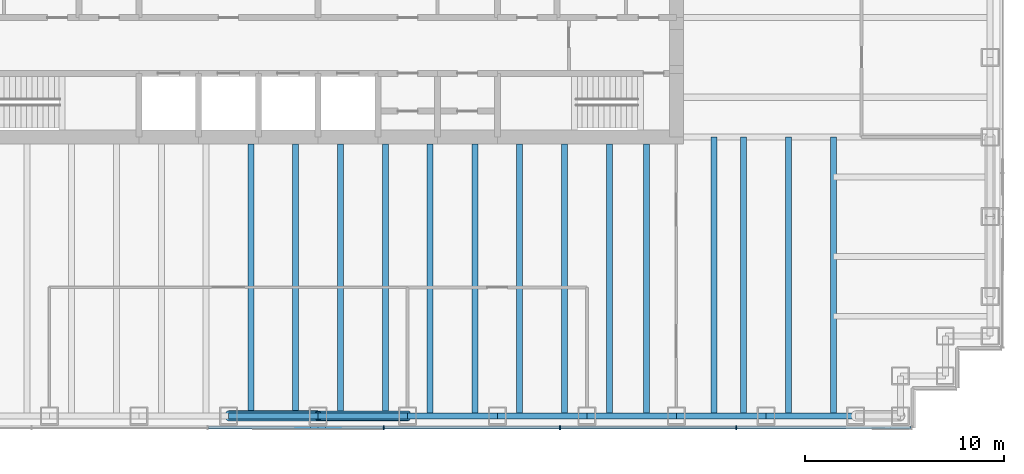
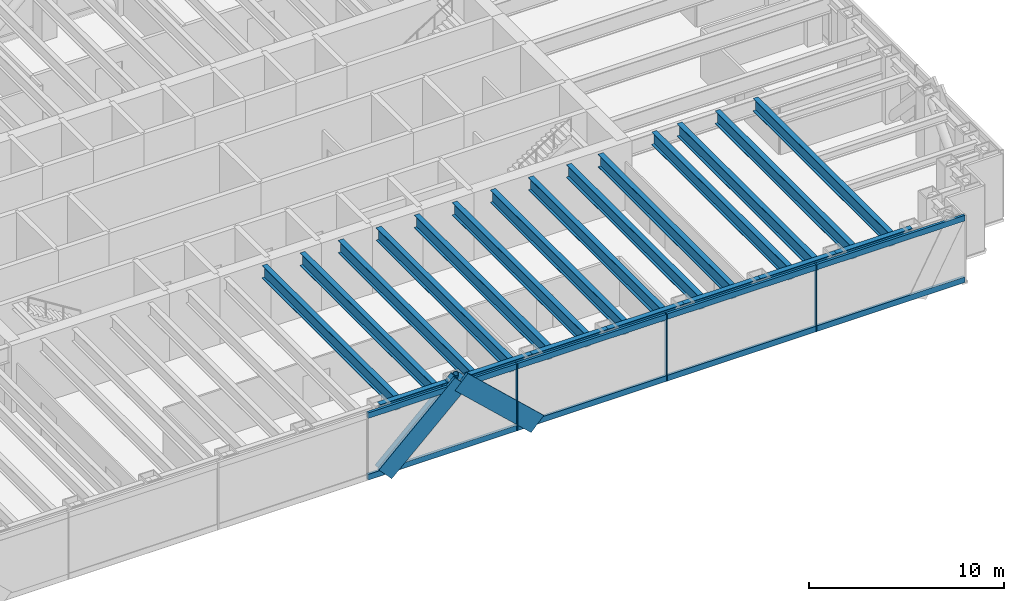
# One storey, part 4 of 17: 21 beams, 15 members, 1 element without a shape of its own.
"""IFC4 building model written with IfcOpenShell, lengths in metres."""

from ifc_helpers import new_model, si_unit, direction, frame, origin, origin_2d, place, context, subcontext, project, spatial, rectangle, hollow_circle, i_section, extrude, material, material_profile, profile_set, type_object, element, aggregate, save


model = new_model("IFC4")

# Units and contexts
model_context = context("Model", 3, precision=1e-05, world=origin(), true_north=direction((0.0, 1.0)))
body_context = subcontext(model_context, "Body", "Model", "MODEL_VIEW")
ifc_project = project(units=[si_unit("LENGTHUNIT", "METRE"), si_unit("AREAUNIT", "SQUARE_METRE"), si_unit("VOLUMEUNIT", "CUBIC_METRE"), si_unit("PLANEANGLEUNIT", "RADIAN"), si_unit("MASSUNIT", "GRAM", prefix="KILO")], contexts=[model_context])

# Site, building, storey
site_placement = place(None, origin())
site = spatial("IfcSite", under=ifc_project, at=site_placement, CompositionType="ELEMENT")
building_placement = place(site_placement, origin())
building = spatial("IfcBuilding", under=site, at=building_placement, Name="Rheinbord Bourse Tower", CompositionType="ELEMENT")
storey_placement = place(building_placement, frame((0.0, 0.0, 300.5)))
storey = spatial("IfcBuildingStorey", under=building, at=storey_placement, Name="L68", CompositionType="ELEMENT", Elevation=300.5)

# Curtain wall, members
ifc_material_1 = material(Name="Dark glass and black aluminium", Category="aluminium")
curtain_wall_type = type_object("IfcCurtainWallType", Name="CW3 DARK GLASS CURTAIN WALL", PredefinedType="USERDEFINED", material=ifc_material_1)
curtain_wall_placement = place(storey_placement, origin())
curtain_wall = element("IfcCurtainWall", 1, at=curtain_wall_placement, inside=storey, type_object=curtain_wall_type, Name="Curtain wall CW3 S L68", ObjectType="UNITISED CURTAIN WALL", PredefinedType="USERDEFINED")
ifc_material_2 = material(Name="Black anodised aluminium", Category="aluminium")
ifc_material_profile_1 = material_profile(ifc_material_2, rectangle(XDim=0.14990234375, YDim=1.10791015625, at=origin_2d()), Name="CW3 DIAGONAL MULLION 1108x150")
ifc_profile_set_1 = profile_set([ifc_material_profile_1], Name="Black anodised aluminium")
member_type_1 = type_object("IfcMemberType", Name="CW3 BLACK DIAGONAL MULLION", PredefinedType="USERDEFINED", material=ifc_profile_set_1)
member_1_placement = place(storey_placement, frame((40.5, 1.39990234375, 0.0), z_axis=(-0.73105922506, 0.0, 0.682314010889), x_axis=(0.0, -1.0, 0.0)))
member_1 = element("IfcMember", 2, at=member_1_placement, type_object=member_type_1, Name="CW3 diagonal mullion c", ObjectType="DIAGONAL MULLION", PredefinedType="USERDEFINED", context=body_context, shape_type="SweptSolid", body=[
    extrude(rectangle(XDim=0.14990234375, YDim=1.10791015625, at=origin_2d()), origin(), (0.0, 0.0, 1.0), 6.155517578125),
])
member_2_placement = place(storey_placement, frame((31.5, 1.39990234375, 0.0), z_axis=(0.73105922506, 0.0, 0.682314010889), x_axis=(0.0, 1.0, 0.0)))
member_2 = element("IfcMember", 3, at=member_2_placement, type_object=member_type_1, Name="CW3 diagonal mullion d", ObjectType="DIAGONAL MULLION", PredefinedType="USERDEFINED", context=body_context, shape_type="SweptSolid", body=[
    extrude(rectangle(XDim=0.14990234375, YDim=1.10791015625, at=origin_2d()), origin(), (0.0, 0.0, 1.0), 6.155517578125),
])
ifc_material_3 = material(Name="Black anodised aluminium", Category="aluminium")
ifc_material_profile_2 = material_profile(ifc_material_3, rectangle(XDim=0.199951171875, YDim=0.06494140625, at=origin_2d()), Name="CW3 MULLION 65x200")
ifc_profile_set_2 = profile_set([ifc_material_profile_2], Name="Black anodised aluminium")
member_type_2 = type_object("IfcMemberType", Name="CW3 BLACK MULLION", PredefinedType="MULLION", material=ifc_profile_set_2)
member_3_placement = place(storey_placement, frame((39.300048828125, 1.39990234375, 0.0), z_axis=(0.0, 0.0, 1.0), x_axis=(0.0, 1.0, 0.0)))
member_3 = element("IfcMember", 4, at=member_3_placement, type_object=member_type_2, Name="CW3 mullion 5", PredefinedType="MULLION", context=body_context, shape_type="SweptSolid", body=[
    extrude(rectangle(XDim=0.199951171875, YDim=0.06494140625, at=origin_2d()), origin(), (0.0, 0.0, 1.0), 4.199951171875),
])
member_4_placement = place(storey_placement, frame((48.14990234375, 1.39990234375, 0.0), z_axis=(0.0, 0.0, 1.0), x_axis=(0.0, 1.0, 0.0)))
member_4 = element("IfcMember", 5, at=member_4_placement, type_object=member_type_2, Name="CW3 mullion 6", PredefinedType="MULLION", context=body_context, shape_type="SweptSolid", body=[
    extrude(rectangle(XDim=0.199951171875, YDim=0.06494140625, at=origin_2d()), origin(), (0.0, 0.0, 1.0), 4.199951171875),
])
member_5_placement = place(storey_placement, frame((57.0, 1.39990234375, 0.0), z_axis=(0.0, 0.0, 1.0), x_axis=(0.0, 1.0, 0.0)))
member_5 = element("IfcMember", 6, at=member_5_placement, type_object=member_type_2, Name="CW3 mullion 7", PredefinedType="MULLION", context=body_context, shape_type="SweptSolid", body=[
    extrude(rectangle(XDim=0.199951171875, YDim=0.06494140625, at=origin_2d()), origin(), (0.0, 0.0, 1.0), 4.199951171875),
])
ifc_material_4 = material(Name="Black anodised aluminium", Category="aluminium")
ifc_material_profile_3 = material_profile(ifc_material_4, rectangle(XDim=0.14990234375, YDim=0.35009765625, at=origin_2d()), Name="CW3 TRANSOM 350x150")
ifc_profile_set_3 = profile_set([ifc_material_profile_3], Name="Black anodised aluminium")
member_type_3 = type_object("IfcMemberType", Name="CW3 BLACK TRANSOM", PredefinedType="USERDEFINED", material=ifc_profile_set_3)
member_6_placement = place(storey_placement, frame((30.482421875, 1.39990234375, 0.175048828125), z_axis=(1.0, 0.0, 0.0), x_axis=(0.0, 1.0, 0.0)))
member_6 = element("IfcMember", 7, at=member_6_placement, type_object=member_type_3, Name="CW3 transom 4.1", ObjectType="TRANSOM", PredefinedType="USERDEFINED", context=body_context, shape_type="SweptSolid", body=[
    extrude(rectangle(XDim=0.14990234375, YDim=0.35009765625, at=origin_2d()), origin(), (0.0, 0.0, 1.0), 8.78515625),
])
member_7_placement = place(storey_placement, frame((30.482421875, 1.39990234375, 4.02490234375), z_axis=(1.0, 0.0, 0.0), x_axis=(0.0, 1.0, 0.0)))
member_7 = element("IfcMember", 8, at=member_7_placement, type_object=member_type_3, Name="CW3 transom 4.2", ObjectType="TRANSOM", PredefinedType="USERDEFINED", context=body_context, shape_type="SweptSolid", body=[
    extrude(rectangle(XDim=0.14990234375, YDim=0.35009765625, at=origin_2d()), origin(), (0.0, 0.0, 1.0), 8.78515625),
])
member_8_placement = place(storey_placement, frame((39.33251953125, 1.39990234375, 0.175048828125), z_axis=(1.0, 0.0, 0.0), x_axis=(0.0, 1.0, 0.0)))
member_8 = element("IfcMember", 9, at=member_8_placement, type_object=member_type_3, Name="CW3 transom 5.1", ObjectType="TRANSOM", PredefinedType="USERDEFINED", context=body_context, shape_type="SweptSolid", body=[
    extrude(rectangle(XDim=0.14990234375, YDim=0.35009765625, at=origin_2d()), origin(), (0.0, 0.0, 1.0), 8.784912109375),
])
member_9_placement = place(storey_placement, frame((39.33251953125, 1.39990234375, 4.02490234375), z_axis=(1.0, 0.0, 0.0), x_axis=(0.0, 1.0, 0.0)))
member_9 = element("IfcMember", 10, at=member_9_placement, type_object=member_type_3, Name="CW3 transom 5.2", ObjectType="TRANSOM", PredefinedType="USERDEFINED", context=body_context, shape_type="SweptSolid", body=[
    extrude(rectangle(XDim=0.14990234375, YDim=0.35009765625, at=origin_2d()), origin(), (0.0, 0.0, 1.0), 8.784912109375),
])
member_10_placement = place(storey_placement, frame((48.1826171875, 1.39990234375, 0.175048828125), z_axis=(1.0, 0.0, 0.0), x_axis=(0.0, 1.0, 0.0)))
member_10 = element("IfcMember", 11, at=member_10_placement, type_object=member_type_3, Name="CW3 transom 6.1", ObjectType="TRANSOM", PredefinedType="USERDEFINED", context=body_context, shape_type="SweptSolid", body=[
    extrude(rectangle(XDim=0.14990234375, YDim=0.35009765625, at=origin_2d()), origin(), (0.0, 0.0, 1.0), 8.784912109375),
])
member_11_placement = place(storey_placement, frame((48.1826171875, 1.39990234375, 4.02490234375), z_axis=(1.0, 0.0, 0.0), x_axis=(0.0, 1.0, 0.0)))
member_11 = element("IfcMember", 12, at=member_11_placement, type_object=member_type_3, Name="CW3 transom 6.2", ObjectType="TRANSOM", PredefinedType="USERDEFINED", context=body_context, shape_type="SweptSolid", body=[
    extrude(rectangle(XDim=0.14990234375, YDim=0.35009765625, at=origin_2d()), origin(), (0.0, 0.0, 1.0), 8.784912109375),
])
member_12_placement = place(storey_placement, frame((57.032470703125, 1.39990234375, 0.175048828125), z_axis=(1.0, 0.0, 0.0), x_axis=(0.0, 1.0, 0.0)))
member_12 = element("IfcMember", 13, at=member_12_placement, type_object=member_type_3, Name="CW3 transom 7.1", ObjectType="TRANSOM", PredefinedType="USERDEFINED", context=body_context, shape_type="SweptSolid", body=[
    extrude(rectangle(XDim=0.14990234375, YDim=0.35009765625, at=origin_2d()), origin(), (0.0, 0.0, 1.0), 8.75244140625),
])
member_13_placement = place(storey_placement, frame((57.032470703125, 1.39990234375, 4.02490234375), z_axis=(1.0, 0.0, 0.0), x_axis=(0.0, 1.0, 0.0)))
member_13 = element("IfcMember", 14, at=member_13_placement, type_object=member_type_3, Name="CW3 transom 7.2", ObjectType="TRANSOM", PredefinedType="USERDEFINED", context=body_context, shape_type="SweptSolid", body=[
    extrude(rectangle(XDim=0.14990234375, YDim=0.35009765625, at=origin_2d()), origin(), (0.0, 0.0, 1.0), 8.75244140625),
])
aggregate(curtain_wall, [member_3, member_4, member_5, member_6, member_7, member_8, member_9, member_10, member_11, member_12, member_13, member_1, member_2])

# Beams
ifc_material_5 = material(Name="Steel S460", Category="steel")
ifc_material_profile_4 = material_profile(ifc_material_5, i_section(OverallWidth=0.300048828125, OverallDepth=0.800048828125, WebThickness=0.017578125, FlangeThickness=0.032958984375, at=origin_2d()), Name="HEB 800")
ifc_profile_set_4 = profile_set([ifc_material_profile_4], Name="Steel S460")
beam_type_1 = type_object("IfcBeamType", Name="FLOOR BEAM HEB 800", PredefinedType="BEAM", material=ifc_profile_set_4)
for number, where, z_axis, x_axis, name in (
    (15, (32.625, 2.0, 3.639892578125), (0.0, 1.0, 0.0), (-1.0, 0.0, 0.0), "Floor beam S-31.5a L69"),
    (16, (34.875, 2.0, 3.639892578125), (0.0, 1.0, 0.0), (-1.0, 0.0, 0.0), "Floor beam S-31.5b L69"),
    (17, (37.125, 2.0, 3.639892578125), (0.0, 1.0, 0.0), (-1.0, 0.0, 0.0), "Floor beam S-36a L69"),
    (18, (39.375, 2.0, 3.639892578125), (0.0, 1.0, 0.0), (-1.0, 0.0, 0.0), "Floor beam S-36b L69"),
    (19, (41.625, 2.0, 3.639892578125), (0.0, 1.0, 0.0), (-1.0, 0.0, 0.0), "Floor beam S-40.5a L69"),
    (20, (43.875, 2.0, 3.639892578125), (0.0, 1.0, 0.0), (-1.0, 0.0, 0.0), "Floor beam S-40.5b L69"),
    (21, (46.125, 2.0, 3.639892578125), (0.0, 1.0, 0.0), (-1.0, 0.0, 0.0), "Floor beam S-45a L69"),
    (22, (48.375, 2.0, 3.639892578125), (0.0, 1.0, 0.0), (-1.0, 0.0, 0.0), "Floor beam S-45b L69"),
    (23, (50.625, 2.0, 3.639892578125), (0.0, 1.0, 0.0), (-1.0, 0.0, 0.0), "Floor beam S-49.5a L69"),
    (24, (52.5, 2.0, 3.639892578125), (0.0, 1.0, 0.0), (-1.0, 0.0, 0.0), "Floor beam S-49.5b L69"),
):
    element("IfcBeam", number, at=place(storey_placement, frame(where, z_axis=z_axis, x_axis=x_axis)), inside=storey, type_object=beam_type_1, Name=name, PredefinedType="BEAM", context=body_context, shape_type="SweptSolid", body=[
        extrude(i_section(OverallWidth=0.300048828125, OverallDepth=0.800048828125, WebThickness=0.017578125, FlangeThickness=0.032958984375, at=origin_2d()), origin(), (0.0, 0.0, 1.0), 13.64990234375),
    ])
for number, where, z_axis, x_axis, name in (
    (25, (55.875, 2.0, 3.639892578125), (0.0, 1.0, 0.0), (-1.0, 0.0, 0.0), "Floor beam S-54a L69"),
    (26, (57.375, 2.0, 3.639892578125), (0.0, 1.0, 0.0), (-1.0, 0.0, 0.0), "Floor beam S-54b L69"),
    (27, (59.625, 2.0, 3.639892578125), (0.0, 1.0, 0.0), (-1.0, 0.0, 0.0), "Floor beam S-58.5a L69"),
    (28, (61.875, 2.0, 3.639892578125), (0.0, 1.0, 0.0), (-1.0, 0.0, 0.0), "Floor beam S-58.5b L69"),
):
    element("IfcBeam", number, at=place(storey_placement, frame(where, z_axis=z_axis, x_axis=x_axis)), inside=storey, type_object=beam_type_1, Name=name, PredefinedType="BEAM", context=body_context, shape_type="SweptSolid", body=[
        extrude(i_section(OverallWidth=0.300048828125, OverallDepth=0.800048828125, WebThickness=0.017578125, FlangeThickness=0.032958984375, at=origin_2d()), origin(), (0.0, 0.0, 1.0), 14.0),
    ])

# Members
ifc_material_6 = material(Name="Steel S460", Category="steel")
ifc_material_profile_5 = material_profile(ifc_material_6, hollow_circle(Radius=0.25390625, WallThickness=0.030029296875, at=origin_2d()), Name="CHS 508x30")
ifc_profile_set_5 = profile_set([ifc_material_profile_5], Name="Steel S460")
member_type_4 = type_object("IfcMemberType", Name="MEGABRACE CHS 508x30", PredefinedType="BRACE", material=ifc_profile_set_5)
for number, where, z_axis, x_axis, name in (
    (29, (40.5, 2.0, 0.0), (-0.73105922506, 0.0, 0.682314010889), (0.0, -1.0, 0.0), "Megabrace S face line c L68"),
    (30, (31.5, 2.0, 0.0), (0.73105922506, 0.0, 0.682314010889), (0.0, 1.0, 0.0), "Megabrace S face line d L68"),
):
    element("IfcMember", number, at=place(storey_placement, frame(where, z_axis=z_axis, x_axis=x_axis)), inside=storey, type_object=member_type_4, Name=name, PredefinedType="BRACE", context=body_context, shape_type="SweptSolid", body=[
        extrude(hollow_circle(Radius=0.25390625, WallThickness=0.030029296875, at=origin_2d()), origin(), (0.0, 0.0, 1.0), 6.155517578125),
    ])

# Beams
ifc_material_7 = material(Name="Steel S460", Category="steel")
ifc_material_profile_6 = material_profile(ifc_material_7, i_section(OverallWidth=0.300048828125, OverallDepth=0.550048828125, WebThickness=0.014892578125, FlangeThickness=0.029052734375, at=origin_2d()), Name="HEB 550")
ifc_profile_set_6 = profile_set([ifc_material_profile_6], Name="Steel S460")
beam_type_2 = type_object("IfcBeamType", Name="SPANDREL HEB 550", PredefinedType="SPANDREL", material=ifc_profile_set_6)
for number, where, z_axis, x_axis, name in (
    (31, (31.5, 2.0, 3.764892578125), (1.0, 0.0, 0.0), (0.0, 1.0, 0.0), "Spandrel S-31.5-S-36 under L69"),
    (32, (36.0, 2.0, 3.764892578125), (1.0, 0.0, 0.0), (0.0, 1.0, 0.0), "Spandrel S-36-S-40.5 under L69"),
    (33, (40.5, 2.0, 3.764892578125), (1.0, 0.0, 0.0), (0.0, 1.0, 0.0), "Spandrel S-40.5-S-45 under L69"),
    (34, (45.0, 2.0, 3.764892578125), (1.0, 0.0, 0.0), (0.0, 1.0, 0.0), "Spandrel S-45-S-49.5 under L69"),
    (35, (49.5, 2.0, 3.764892578125), (1.0, 0.0, 0.0), (0.0, 1.0, 0.0), "Spandrel S-49.5-S-54 under L69"),
    (36, (54.0, 2.0, 3.764892578125), (1.0, 0.0, 0.0), (0.0, 1.0, 0.0), "Spandrel S-54-S-58.5 under L69"),
    (37, (58.5, 2.0, 3.764892578125), (1.0, 0.0, 0.0), (0.0, 1.0, 0.0), "Spandrel S-58.5-S-63 under L69"),
):
    element("IfcBeam", number, at=place(storey_placement, frame(where, z_axis=z_axis, x_axis=x_axis)), inside=storey, type_object=beam_type_2, Name=name, PredefinedType="SPANDREL", context=body_context, shape_type="SweptSolid", body=[
        extrude(i_section(OverallWidth=0.300048828125, OverallDepth=0.550048828125, WebThickness=0.014892578125, FlangeThickness=0.029052734375, at=origin_2d()), origin(), (0.0, 0.0, 1.0), 4.5),
    ])

save(model, "model.ifc")
